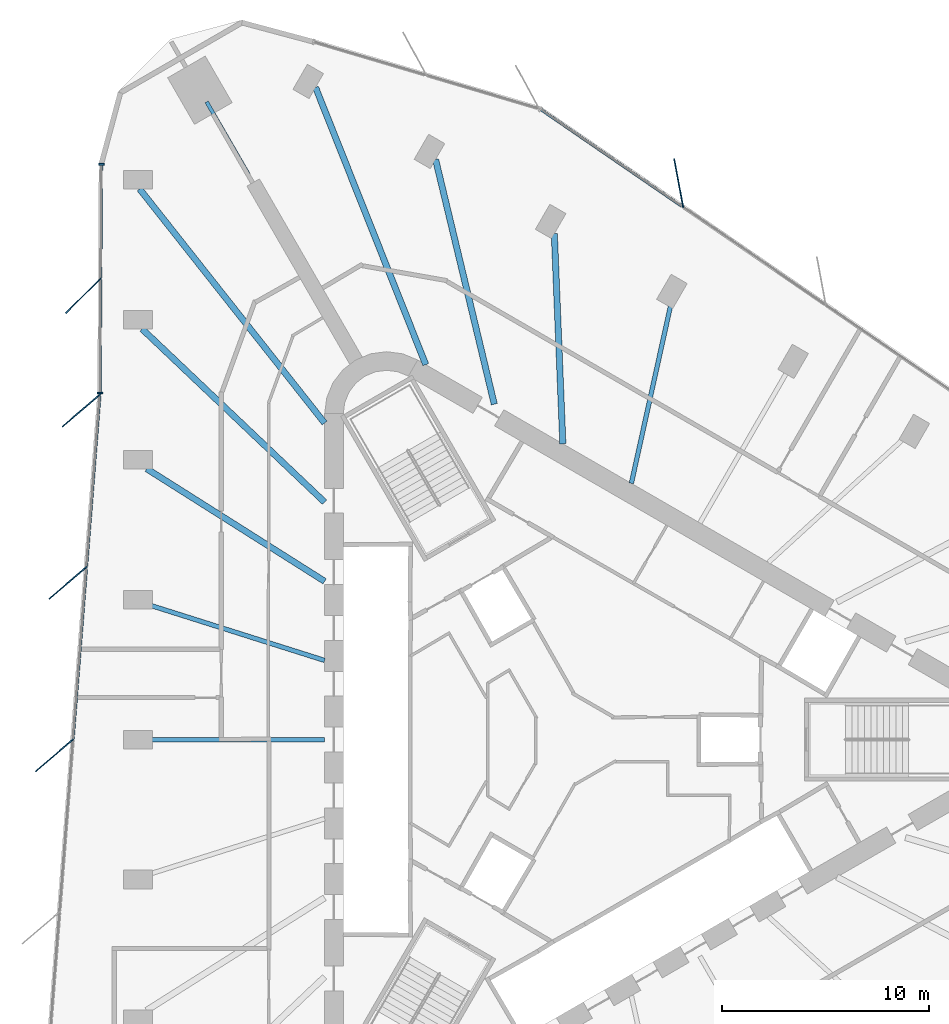
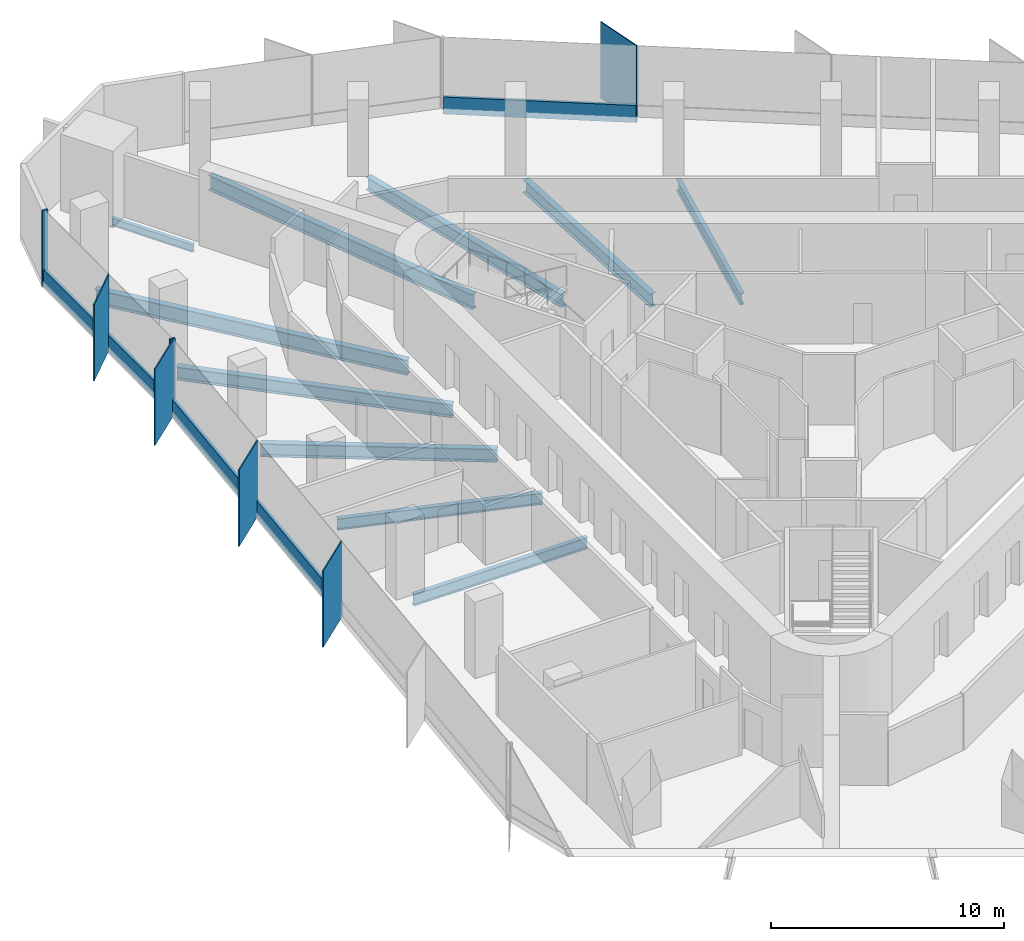
# One storey, part 4 of 13: 12 members, 10 beams, 3 elements without a shape of their own.
"""IFC4 building model written with IfcOpenShell, lengths in metres."""

import ifcopenshell
import ifcopenshell.guid

model = None  # the IFC model being written
_history = None  # IfcOwnerHistory: only IFC2X3 demands one
_inside = {}  # id of a spatial element -> (the spatial element, [elements in it])
_under = {}  # id of a project, library or spatial element -> (it, [spatial elements below it])
_declared = {}  # id of a project -> (the project, [libraries it declares])
_typed = {}  # id of a type object -> (the type object, [elements of that type])
_made_of = {}  # id of a material, layer set ... -> (it, [elements and type objects made of it])


def new_model(schema):
    """Start an empty IFC model of exactly this schema.

    Asked for "IFC4X3", IfcOpenShell would pick the latest addendum, in which some entities
    have other attributes; the version numbers below select the first issue.
    IFC2X3 requires an IfcOwnerHistory on every rooted entity: one is made here for all.
    """
    global model, _history
    if schema == "IFC4X3":
        model = ifcopenshell.file(schema_version=(4, 3, 0, 0))
    else:
        model = ifcopenshell.file(schema=schema)
    _inside.clear()
    _under.clear()
    _declared.clear()
    _typed.clear()
    _made_of.clear()
    _history = None
    if model.schema == "IFC2X3":
        org = make("IfcOrganization", Name="unknown")
        user = make(
            "IfcPersonAndOrganization",
            ThePerson=make("IfcPerson", FamilyName="unknown"),
            TheOrganization=org,
        )
        app = make(
            "IfcApplication",
            ApplicationDeveloper=org,
            Version="unknown",
            ApplicationFullName="unknown",
            ApplicationIdentifier="unknown",
        )
        _history = make(
            "IfcOwnerHistory",
            OwningUser=user,
            OwningApplication=app,
            ChangeAction="ADDED",
            CreationDate=0,
        )
    return model


def make(cls, **values):
    """One entity of the class cls with the attributes given. An attribute that is None is left unset."""
    return model.create_entity(
        cls, **{name: value for name, value in values.items() if value is not None}
    )


def rooted(cls, **values):
    """An entity with a GlobalId (a new one), such as an element, a storey or a relation."""
    return make(cls, GlobalId=ifcopenshell.guid.new(), OwnerHistory=_history, **values)


def si_unit(unit_type, name, prefix=None):
    """IfcSIUnit, for example si_unit("LENGTHUNIT", "METRE", prefix="MILLI")."""
    return make("IfcSIUnit", UnitType=unit_type, Prefix=prefix, Name=name)


def assignment(units):
    """IfcUnitAssignment: the units of a project."""
    return None if units is None else make("IfcUnitAssignment", Units=units)


def point(xyz):
    """IfcCartesianPoint."""
    return None if xyz is None else make("IfcCartesianPoint", Coordinates=xyz)


def direction(xyz):
    """IfcDirection."""
    return None if xyz is None else make("IfcDirection", DirectionRatios=xyz)


def frame(location, z_axis=None, x_axis=None):
    """IfcAxis2Placement3D, a coordinate frame: its origin and axes. An axis left out is left unset."""
    return make(
        "IfcAxis2Placement3D",
        Location=point(location),
        Axis=direction(z_axis),
        RefDirection=direction(x_axis),
    )


def frame_2d(location, x_axis=None):
    """IfcAxis2Placement2D, a coordinate frame in the plane: its origin and x axis."""
    return make(
        "IfcAxis2Placement2D", Location=point(location), RefDirection=direction(x_axis)
    )


def origin():
    """The frame at (0, 0, 0) with its axes left unset."""
    return frame((0.0, 0.0, 0.0))


def origin_2d():
    """The frame at (0, 0) in the plane with its x axis left unset."""
    return frame_2d((0.0, 0.0))


def place(relative_to, where):
    """IfcLocalPlacement: puts the frame where relative to a parent placement (None: the world)."""
    return make(
        "IfcLocalPlacement", PlacementRelTo=relative_to, RelativePlacement=where
    )


def context(
    kind, dimensions, precision=None, world=None, true_north=None, identifier=None
):
    """IfcGeometricRepresentationContext, for example the 3D "Model" context."""
    return make(
        "IfcGeometricRepresentationContext",
        ContextIdentifier=identifier,
        ContextType=kind,
        CoordinateSpaceDimension=dimensions,
        Precision=precision,
        WorldCoordinateSystem=world,
        TrueNorth=true_north,
    )


def subcontext(parent, identifier, kind, view, scale=None):
    """IfcGeometricRepresentationSubContext, for example "Body" below "Model"."""
    return make(
        "IfcGeometricRepresentationSubContext",
        ContextIdentifier=identifier,
        ContextType=kind,
        ParentContext=parent,
        TargetScale=scale,
        TargetView=view,
    )


def project(units=None, contexts=None):
    """IfcProject with its units and contexts."""
    return rooted(
        "IfcProject",
        Name="project",
        RepresentationContexts=contexts,
        UnitsInContext=assignment(units),
    )


def spatial(cls, under=None, at=None, **own):
    """A site, building, storey or space (cls), placed at a placement, below another one or the project."""
    s = rooted(cls, ObjectPlacement=at, **own)
    if under is not None:
        _under.setdefault(under.id(), (under, []))[1].append(s)
    return s


def profile(cls, at=None, kind="AREA", **sizes):
    """A parametric profile (cls). Its sizes go by their IFC names, for example OverallWidth=200.0."""
    return make(cls, ProfileType=kind, Position=at, **sizes)


def rectangle(**sizes):
    """IfcRectangleProfileDef."""
    return profile("IfcRectangleProfileDef", **sizes)


def i_section(**sizes):
    """IfcIShapeProfileDef."""
    return profile("IfcIShapeProfileDef", **sizes)


def extrude(swept, where, along, depth):
    """IfcExtrudedAreaSolid: the profile swept, set in the frame where, extruded along a direction by depth."""
    return make(
        "IfcExtrudedAreaSolid",
        SweptArea=swept,
        Position=where,
        ExtrudedDirection=direction(along),
        Depth=depth,
    )


def shape(context_of_items, identifier, shape_type, items):
    """IfcShapeRepresentation: the items that make up one representation, for example the "Body"."""
    return make(
        "IfcShapeRepresentation",
        ContextOfItems=context_of_items,
        RepresentationIdentifier=identifier,
        RepresentationType=shape_type,
        Items=items,
    )


def material(Name=None, Category=None):
    """IfcMaterial."""
    return make("IfcMaterial", Name=Name, Category=Category)


def material_profile(
    of_material, cross_section, Name=None, Category=None, Priority=None
):
    """IfcMaterialProfile: a cross section and its material."""
    return make(
        "IfcMaterialProfile",
        Name=Name,
        Material=of_material,
        Profile=cross_section,
        Priority=Priority,
        Category=Category,
    )


def profile_set(profiles, Name=None, composite=None):
    """IfcMaterialProfileSet."""
    return make(
        "IfcMaterialProfileSet",
        Name=Name,
        MaterialProfiles=profiles,
        CompositeProfile=composite,
    )


def made_of(thing, what):
    """Note that an element or type object is made of a material, layer set ...; save() writes the relation."""
    if what is not None:
        _made_of.setdefault(what.id(), (what, []))[1].append(thing)
    return thing


def type_object(cls, material=None, **own):
    """A type object (cls), such as IfcWallType, which elements share."""
    return made_of(rooted(cls, **own), material)


def element(
    cls,
    number,
    at=None,
    inside=None,
    cuts=None,
    type_object=None,
    material=None,
    context=None,
    identifier="Body",
    shape_type=None,
    held_by="IfcProductDefinitionShape",
    body=None,
    shapes=None,
    **own,
):
    """One element of the class cls, such as IfcWall. Its Tag is "e" and its number.

    at: its placement. inside: the storey or other place that contains it. cuts: it is an
    opening in that element (IfcRelVoidsElement). A single representation is given by context,
    identifier, shape_type and body (its items); several are given by shapes. held_by: the class
    of the entity that holds the representations. save() writes the other relations.
    """
    e = rooted(cls, Tag="e%d" % number, ObjectPlacement=at, **own)
    if body is not None:
        shapes = [shape(context, identifier, shape_type, body)]
    if shapes is not None:
        e.Representation = make(held_by, Representations=shapes)
    if inside is not None:
        _inside.setdefault(inside.id(), (inside, []))[1].append(e)
    if cuts is not None:
        rooted(
            "IfcRelVoidsElement", RelatingBuildingElement=cuts, RelatedOpeningElement=e
        )
    if type_object is not None:
        _typed.setdefault(type_object.id(), (type_object, []))[1].append(e)
    return made_of(e, material)


def aggregate(whole, parts):
    """IfcRelAggregates: a whole, such as a stair, and the parts it consists of."""
    return rooted("IfcRelAggregates", RelatingObject=whole, RelatedObjects=parts)


def save(model, path):
    """Write the relations noted so far, then the file.

    IfcRelAggregates (storeys below a building ...), IfcRelContainedInSpatialStructure (elements
    in a storey), IfcRelDefinesByType, IfcRelAssociatesMaterial and IfcRelDeclares: one each for
    every whole, place, type object, material and project.
    """
    for whole, parts in _under.values():
        aggregate(whole, parts)
    for where, things in _inside.values():
        rooted(
            "IfcRelContainedInSpatialStructure",
            RelatedElements=things,
            RelatingStructure=where,
        )
    for kind, things in _typed.values():
        rooted("IfcRelDefinesByType", RelatedObjects=things, RelatingType=kind)
    for what, things in _made_of.values():
        rooted("IfcRelAssociatesMaterial", RelatedObjects=things, RelatingMaterial=what)
    for by, libraries in _declared.values():
        rooted("IfcRelDeclares", RelatingContext=by, RelatedDefinitions=libraries)
    model.write(path)


model = new_model("IFC4")

# Units and contexts
model_context = context("Model", 3, precision=1e-05, world=origin(), true_north=direction((0.0, 1.0)))
body_context = subcontext(model_context, "Body", "Model", "MODEL_VIEW")
ifc_project = project(units=[si_unit("LENGTHUNIT", "METRE"), si_unit("AREAUNIT", "SQUARE_METRE"), si_unit("VOLUMEUNIT", "CUBIC_METRE"), si_unit("PLANEANGLEUNIT", "RADIAN"), si_unit("MASSUNIT", "GRAM", prefix="KILO")], contexts=[model_context])

# Site, building, storey
site_placement = place(None, origin())
site = spatial("IfcSite", under=ifc_project, at=site_placement, CompositionType="ELEMENT")
building_placement = place(site_placement, origin())
building = spatial("IfcBuilding", under=site, at=building_placement, Name="Tanit Gate Tower", CompositionType="ELEMENT")
storey_placement = place(building_placement, frame((0.0, 0.0, 265.199951171875)))
storey = spatial("IfcBuildingStorey", under=building, at=storey_placement, Name="L60", CompositionType="ELEMENT", Elevation=265.199951171875)

# Curtain wall, member
ifc_material_1 = material(Name="Aluminium bronze anodised and glass", Category="aluminium")
curtain_wall_type = type_object("IfcCurtainWallType", Name="Curtain wall typical mid", PredefinedType="NOTDEFINED", material=ifc_material_1)
curtain_wall_1_placement = place(storey_placement, origin())
curtain_wall_1 = element("IfcCurtainWall", 1, at=curtain_wall_1_placement, inside=storey, type_object=curtain_wall_type, Name="Curtain wall L60 NE2", PredefinedType="NOTDEFINED")
ifc_material_2 = material(Name="Aluminium bronze anodised", Category="aluminium")
ifc_material_profile_1 = material_profile(ifc_material_2, rectangle(XDim=2.39990234375, YDim=0.055908203125, at=origin_2d()), Name="56x2400 bronze fin mullion")
ifc_profile_set_1 = profile_set([ifc_material_profile_1], Name="Aluminium bronze anodised")
member_type_1 = type_object("IfcMemberType", Name="FIN MULLION 56x2400 bronze", PredefinedType="MULLION", material=ifc_profile_set_1)
member_1_placement = place(storey_placement, frame((5.025146484375, 26.9150390625, -0.300048828125), z_axis=(0.0, 0.0, 1.0), x_axis=(0.182983013261, -0.983116074967, 0.0)))
member_1 = element("IfcMember", 2, at=member_1_placement, type_object=member_type_1, Name="Fin mullion L60 NE2.4", PredefinedType="MULLION", context=body_context, shape_type="SweptSolid", body=[
    extrude(rectangle(XDim=2.39990234375, YDim=0.055908203125, at=origin_2d()), origin(), (0.0, 0.0, 1.0), 4.0),
])

curtain_wall_2_placement = place(storey_placement, origin())
curtain_wall_2 = element("IfcCurtainWall", 3, at=curtain_wall_2_placement, inside=storey, type_object=curtain_wall_type, Name="Curtain wall L60 W1", PredefinedType="NOTDEFINED")
member_2_placement = place(storey_placement, frame((-23.77587890625, 21.46826171875, -0.300048828125), z_axis=(0.0, 0.0, 1.0), x_axis=(0.711599250518, 0.702585586717, 0.0)))
member_2 = element("IfcMember", 4, at=member_2_placement, type_object=member_type_1, Name="Fin mullion L60 W1.2", PredefinedType="MULLION", context=body_context, shape_type="SweptSolid", body=[
    extrude(rectangle(XDim=2.39990234375, YDim=0.055908203125, at=origin_2d()), origin(), (0.0, 0.0, 1.0), 4.0),
])

# Curtain wall, members
curtain_wall_3_placement = place(storey_placement, origin())
curtain_wall_3 = element("IfcCurtainWall", 5, at=curtain_wall_3_placement, inside=storey, type_object=curtain_wall_type, Name="Curtain wall L60 W2", PredefinedType="NOTDEFINED")
member_3_placement = place(storey_placement, frame((-23.871337890625, 15.919189453125, -0.300048828125), z_axis=(0.0, 0.0, 1.0), x_axis=(0.75991198916, 0.650025975428, 0.0)))
member_3 = element("IfcMember", 6, at=member_3_placement, type_object=member_type_1, Name="Fin mullion L60 W2.1", PredefinedType="MULLION", context=body_context, shape_type="SweptSolid", body=[
    extrude(rectangle(XDim=2.39990234375, YDim=0.055908203125, at=origin_2d()), origin(), (0.0, 0.0, 1.0), 4.0),
])
member_4_placement = place(storey_placement, frame((-24.521484375, 7.57763671875, -0.300048828125), z_axis=(0.0, 0.0, 1.0), x_axis=(0.75991198916, 0.650025975428, 0.0)))
member_4 = element("IfcMember", 7, at=member_4_placement, type_object=member_type_1, Name="Fin mullion L60 W2.2", PredefinedType="MULLION", context=body_context, shape_type="SweptSolid", body=[
    extrude(rectangle(XDim=2.39990234375, YDim=0.055908203125, at=origin_2d()), origin(), (0.0, 0.0, 1.0), 4.0),
])
member_5_placement = place(storey_placement, frame((-25.171630859375, -0.763916015625, -0.300048828125), z_axis=(0.0, 0.0, 1.0), x_axis=(0.75991198916, 0.650025975428, 0.0)))
member_5 = element("IfcMember", 8, at=member_5_placement, type_object=member_type_1, Name="Fin mullion L60 W2.3", PredefinedType="MULLION", context=body_context, shape_type="SweptSolid", body=[
    extrude(rectangle(XDim=2.39990234375, YDim=0.055908203125, at=origin_2d()), origin(), (0.0, 0.0, 1.0), 4.0),
])

# Member
ifc_material_3 = material(Name="Aluminium bronze anodised", Category="aluminium")
ifc_material_profile_2 = material_profile(ifc_material_3, rectangle(XDim=0.260009765625, YDim=0.080078125, at=origin_2d()), Name="80x260 bronze mullion")
ifc_profile_set_2 = profile_set([ifc_material_profile_2], Name="Aluminium bronze anodised")
member_type_2 = type_object("IfcMemberType", Name="Mullion 80x260 typical mid", PredefinedType="MULLION", material=ifc_profile_set_2)
member_6_placement = place(storey_placement, frame((-22.90185546875, 27.82763671875, -0.300048828125), z_axis=(0.0, 0.0, 1.0), x_axis=(0.99997968826, -0.006373622797, 0.0)))
member_6 = element("IfcMember", 9, at=member_6_placement, type_object=member_type_2, Name="Mullion L60 W1.1", PredefinedType="MULLION", context=body_context, shape_type="SweptSolid", body=[
    extrude(rectangle(XDim=0.260009765625, YDim=0.080078125, at=origin_2d()), origin(), (0.0, 0.0, 1.0), 4.0),
])

member_7_placement = place(storey_placement, frame((-22.97216796875, 16.765380859375, -0.300048828125), z_axis=(0.0, 0.0, 1.0), x_axis=(0.99997968826, -0.006373622797, 0.0)))
member_7 = element("IfcMember", 10, at=member_7_placement, type_object=member_type_2, Name="Mullion L60 W1.3", PredefinedType="MULLION", context=body_context, shape_type="SweptSolid", body=[
    extrude(rectangle(XDim=0.260009765625, YDim=0.080078125, at=origin_2d()), origin(), (0.0, 0.0, 1.0), 4.0),
])

# Beams
ifc_material_4 = material(Name="Steel S355", Category="steel")
ifc_material_profile_3 = material_profile(ifc_material_4, i_section(OverallWidth=0.300048828125, OverallDepth=0.68994140625, WebThickness=0.014404296875, FlangeThickness=0.027099609375, FilletRadius=0.027099609375, at=origin_2d()), Name="HEA 700")
ifc_profile_set_3 = profile_set([ifc_material_profile_3], Name="Steel S355")
beam_type_1 = type_object("IfcBeamType", Name="RADIAL GIRDER HEA 700 S355", PredefinedType="BEAM", material=ifc_profile_set_3)
beam_1_placement = place(storey_placement, frame((-0.990478515625, 24.482666015625, -0.64501953125), z_axis=(0.040423811094, -0.999182623696, 0.0), x_axis=(0.999182623696, 0.040423811094, 0.0)))
element("IfcBeam", 11, at=beam_1_placement, inside=storey, type_object=beam_type_1, Name="RADIAL GIRDER", PredefinedType="BEAM", context=body_context, shape_type="SweptSolid", body=[
    extrude(i_section(OverallWidth=0.300048828125, OverallDepth=0.68994140625, WebThickness=0.014404296875, FlangeThickness=0.027099609375, FilletRadius=0.027099609375, at=origin_2d()), origin(), (0.0, 0.0, 1.0), 10.1826171875),
])
for number, where, z_axis, x_axis, name in (
    (12, (-6.7353515625, 28.06005859375, -0.64501953125), (0.233413152093, -0.972377653194, 0.0), (0.972377653194, 0.233413152093, 0.0), "RADIAL GIRDER"),
    (13, (-20.93310546875, 19.86279296875, -0.64501953125), (0.725413886333, -0.688312932841, 0.0), (0.688312932841, 0.725413886333, 0.0), "RADIAL GIRDER"),
):
    element("IfcBeam", number, at=place(storey_placement, frame(where, z_axis=z_axis, x_axis=x_axis)), inside=storey, type_object=beam_type_1, Name=name, PredefinedType="BEAM", context=body_context, shape_type="SweptSolid", body=[
        extrude(i_section(OverallWidth=0.300048828125, OverallDepth=0.68994140625, WebThickness=0.014404296875, FlangeThickness=0.027099609375, FilletRadius=0.027099609375, at=origin_2d()), origin(), (0.0, 0.0, 1.0), 12.173828125),
    ])
beam_2_placement = place(storey_placement, frame((-20.707275390625, 13.09912109375, -0.64501953125), z_axis=(0.845101827665, -0.534605369293, 0.0), x_axis=(0.534605369293, 0.845101827665, 0.0)))
element("IfcBeam", 14, at=beam_2_placement, inside=storey, type_object=beam_type_1, Name="RADIAL GIRDER", PredefinedType="BEAM", context=body_context, shape_type="SweptSolid", body=[
    extrude(i_section(OverallWidth=0.300048828125, OverallDepth=0.68994140625, WebThickness=0.014404296875, FlangeThickness=0.027099609375, FilletRadius=0.027099609375, at=origin_2d()), origin(), (0.0, 0.0, 1.0), 10.182373046875),
])
ifc_material_5 = material(Name="Steel S355", Category="steel")
ifc_material_profile_4 = material_profile(ifc_material_5, i_section(OverallWidth=0.300048828125, OverallDepth=0.7900390625, WebThickness=0.014892578125, FlangeThickness=0.028076171875, FilletRadius=0.030029296875, at=origin_2d()), Name="HEA 800")
ifc_profile_set_4 = profile_set([ifc_material_profile_4], Name="Steel S355")
beam_type_2 = type_object("IfcBeamType", Name="RADIAL GIRDER HEA 800 S355", PredefinedType="BEAM", material=ifc_profile_set_4)
beam_3_placement = place(storey_placement, frame((-12.539794921875, 31.54833984375, -0.695068359375), z_axis=(0.369365772783, -0.929284093212, 0.0), x_axis=(0.929284093212, 0.369365772783, 0.0)))
element("IfcBeam", 15, at=beam_3_placement, inside=storey, type_object=beam_type_2, Name="RADIAL GIRDER", PredefinedType="BEAM", context=body_context, shape_type="SweptSolid", body=[
    extrude(i_section(OverallWidth=0.300048828125, OverallDepth=0.7900390625, WebThickness=0.014892578125, FlangeThickness=0.028076171875, FilletRadius=0.030029296875, at=origin_2d()), origin(), (0.0, 0.0, 1.0), 14.43310546875),
])
beam_4_placement = place(storey_placement, frame((-21.051513671875, 26.6337890625, -0.695068359375), z_axis=(0.6200900957, -0.784530606933, 0.0), x_axis=(0.784530606933, 0.6200900957, 0.0)))
element("IfcBeam", 16, at=beam_4_placement, inside=storey, type_object=beam_type_2, Name="RADIAL GIRDER", PredefinedType="BEAM", context=body_context, shape_type="SweptSolid", body=[
    extrude(i_section(OverallWidth=0.300048828125, OverallDepth=0.7900390625, WebThickness=0.014892578125, FlangeThickness=0.028076171875, FilletRadius=0.030029296875, at=origin_2d()), origin(), (0.0, 0.0, 1.0), 14.4326171875),
])
ifc_material_6 = material(Name="Steel S355", Category="steel")
ifc_material_profile_5 = material_profile(ifc_material_6, i_section(OverallWidth=0.179931640625, OverallDepth=0.39990234375, WebThickness=0.008544921875, FlangeThickness=0.013427734375, FilletRadius=0.02099609375, at=origin_2d()), Name="IPE 400")
ifc_profile_set_5 = profile_set([ifc_material_profile_5], Name="Steel S355")
beam_type_3 = type_object("IfcBeamType", Name="RADIAL GIRDER IPE 400 S355", PredefinedType="BEAM", material=ifc_profile_set_5)
beam_5_placement = place(storey_placement, frame((-17.81005859375, 30.847900390625, -0.5), z_axis=(0.500008591458, -0.866020443447, 0.0), x_axis=(0.866020443447, 0.500008591458, 0.0)))
element("IfcBeam", 17, at=beam_5_placement, inside=storey, type_object=beam_type_3, Name="RADIAL GIRDER", PredefinedType="BEAM", context=body_context, shape_type="SweptSolid", body=[
    extrude(i_section(OverallWidth=0.179931640625, OverallDepth=0.39990234375, WebThickness=0.008544921875, FlangeThickness=0.013427734375, FilletRadius=0.02099609375, at=origin_2d()), origin(), (0.0, 0.0, 1.0), 4.03759765625),
])
ifc_material_7 = material(Name="Steel S355", Category="steel")
ifc_material_profile_6 = material_profile(ifc_material_7, i_section(OverallWidth=0.219970703125, OverallDepth=0.60009765625, WebThickness=0.011962890625, FlangeThickness=0.01904296875, FilletRadius=0.02392578125, at=origin_2d()), Name="IPE 600")
ifc_profile_set_6 = profile_set([ifc_material_profile_6], Name="Steel S355")
beam_type_4 = type_object("IfcBeamType", Name="RADIAL GIRDER IPE 600 S355", PredefinedType="BEAM", material=ifc_profile_set_6)
beam_6_placement = place(storey_placement, frame((4.681396484375, 21.2080078125, -0.599853515625), z_axis=(-0.215532558001, -0.976496654598, 0.0), x_axis=(0.976496654598, -0.215532558001, 0.0)))
element("IfcBeam", 18, at=beam_6_placement, inside=storey, type_object=beam_type_4, Name="RADIAL GIRDER", PredefinedType="BEAM", context=body_context, shape_type="SweptSolid", body=[
    extrude(i_section(OverallWidth=0.219970703125, OverallDepth=0.60009765625, WebThickness=0.011962890625, FlangeThickness=0.01904296875, FilletRadius=0.02392578125, at=origin_2d()), origin(), (0.0, 0.0, 1.0), 9.025634765625),
])
beam_7_placement = place(storey_placement, frame((-20.707275390625, 6.549560546875, -0.599853515625), z_axis=(0.953447657806, -0.301558557869, 0.0), x_axis=(0.301558557869, 0.953447657806, 0.0)))
element("IfcBeam", 19, at=beam_7_placement, inside=storey, type_object=beam_type_4, Name="RADIAL GIRDER", PredefinedType="BEAM", context=body_context, shape_type="SweptSolid", body=[
    extrude(i_section(OverallWidth=0.219970703125, OverallDepth=0.60009765625, WebThickness=0.011962890625, FlangeThickness=0.01904296875, FilletRadius=0.02392578125, at=origin_2d()), origin(), (0.0, 0.0, 1.0), 9.025390625),
])
beam_8_placement = place(storey_placement, frame((-20.707275390625, 0.0, -0.599853515625), z_axis=(1.0, 0.0, 0.0), x_axis=(0.0, 1.0, 0.0)))
element("IfcBeam", 20, at=beam_8_placement, inside=storey, type_object=beam_type_4, Name="RADIAL GIRDER", PredefinedType="BEAM", context=body_context, shape_type="SweptSolid", body=[
    extrude(i_section(OverallWidth=0.219970703125, OverallDepth=0.60009765625, WebThickness=0.011962890625, FlangeThickness=0.01904296875, FilletRadius=0.02392578125, at=origin_2d()), origin(), (0.0, 0.0, 1.0), 8.605224609375),
])

# Member
ifc_material_8 = material(Name="Aluminium bronze anodised", Category="aluminium")
ifc_material_profile_7 = material_profile(ifc_material_8, rectangle(XDim=0.139892578125, YDim=0.89990234375, at=origin_2d()), Name="140x900 bronze transom")
ifc_profile_set_7 = profile_set([ifc_material_profile_7], Name="Aluminium bronze anodised")
member_type_3 = type_object("IfcMemberType", Name="Transom 140x900 typical mid", PredefinedType="USERDEFINED", material=ifc_profile_set_7)
member_8_placement = place(storey_placement, frame((5.2080078125, 25.77880859375, 0.150146484375), z_axis=(-0.824560783398, 0.565773377318, 0.0), x_axis=(-0.565773377318, -0.824560783398, 0.0)))
member_8 = element("IfcMember", 21, at=member_8_placement, type_object=member_type_3, Name="Transom L60 NE2.4", ObjectType="TRANSOM", PredefinedType="USERDEFINED", context=body_context, shape_type="SweptSolid", body=[
    extrude(rectangle(XDim=0.139892578125, YDim=0.89990234375, at=origin_2d()), origin(), (0.0, 0.0, 1.0), 8.286865234375),
])

aggregate(curtain_wall_1, [member_1, member_8])

member_9_placement = place(storey_placement, frame((-22.902099609375, 27.787841796875, 0.150146484375), z_axis=(-0.006359599087, -0.999979777545, 0.0), x_axis=(0.999979777545, -0.006359599087, 0.0)))
member_9 = element("IfcMember", 22, at=member_9_placement, type_object=member_type_3, Name="Transom L60 W1.1", ObjectType="TRANSOM", PredefinedType="USERDEFINED", context=body_context, shape_type="SweptSolid", body=[
    extrude(rectangle(XDim=0.139892578125, YDim=0.89990234375, at=origin_2d()), origin(), (0.0, 0.0, 1.0), 5.451171875),
])

member_10_placement = place(storey_placement, frame((-22.937255859375, 22.256591796875, 0.150146484375), z_axis=(-0.006359314285, -0.999979779356, 0.0), x_axis=(0.999979779356, -0.006359314285, 0.0)))
member_10 = element("IfcMember", 23, at=member_10_placement, type_object=member_type_3, Name="Transom L60 W1.2", ObjectType="TRANSOM", PredefinedType="USERDEFINED", context=body_context, shape_type="SweptSolid", body=[
    extrude(rectangle(XDim=0.139892578125, YDim=0.89990234375, at=origin_2d()), origin(), (0.0, 0.0, 1.0), 5.451416015625),
])

aggregate(curtain_wall_2, [member_6, member_2, member_7, member_9, member_10])

member_11_placement = place(storey_placement, frame((-22.978759765625, 16.6455078125, 0.150146484375), z_axis=(-0.07769000697, -0.996977563848, 0.0), x_axis=(0.996977563848, -0.07769000697, 0.0)))
member_11 = element("IfcMember", 24, at=member_11_placement, type_object=member_type_3, Name="Transom L60 W2.1", ObjectType="TRANSOM", PredefinedType="USERDEFINED", context=body_context, shape_type="SweptSolid", body=[
    extrude(rectangle(XDim=0.139892578125, YDim=0.89990234375, at=origin_2d()), origin(), (0.0, 0.0, 1.0), 8.286865234375),
])

member_12_placement = place(storey_placement, frame((-23.62890625, 8.303955078125, 0.150146484375), z_axis=(-0.07768772509, -0.996977741662, 0.0), x_axis=(0.996977741662, -0.07768772509, 0.0)))
member_12 = element("IfcMember", 25, at=member_12_placement, type_object=member_type_3, Name="Transom L60 W2.2", ObjectType="TRANSOM", PredefinedType="USERDEFINED", context=body_context, shape_type="SweptSolid", body=[
    extrude(rectangle(XDim=0.139892578125, YDim=0.89990234375, at=origin_2d()), origin(), (0.0, 0.0, 1.0), 8.287109375),
])

aggregate(curtain_wall_3, [member_3, member_4, member_5, member_11, member_12])

save(model, "model.ifc")
